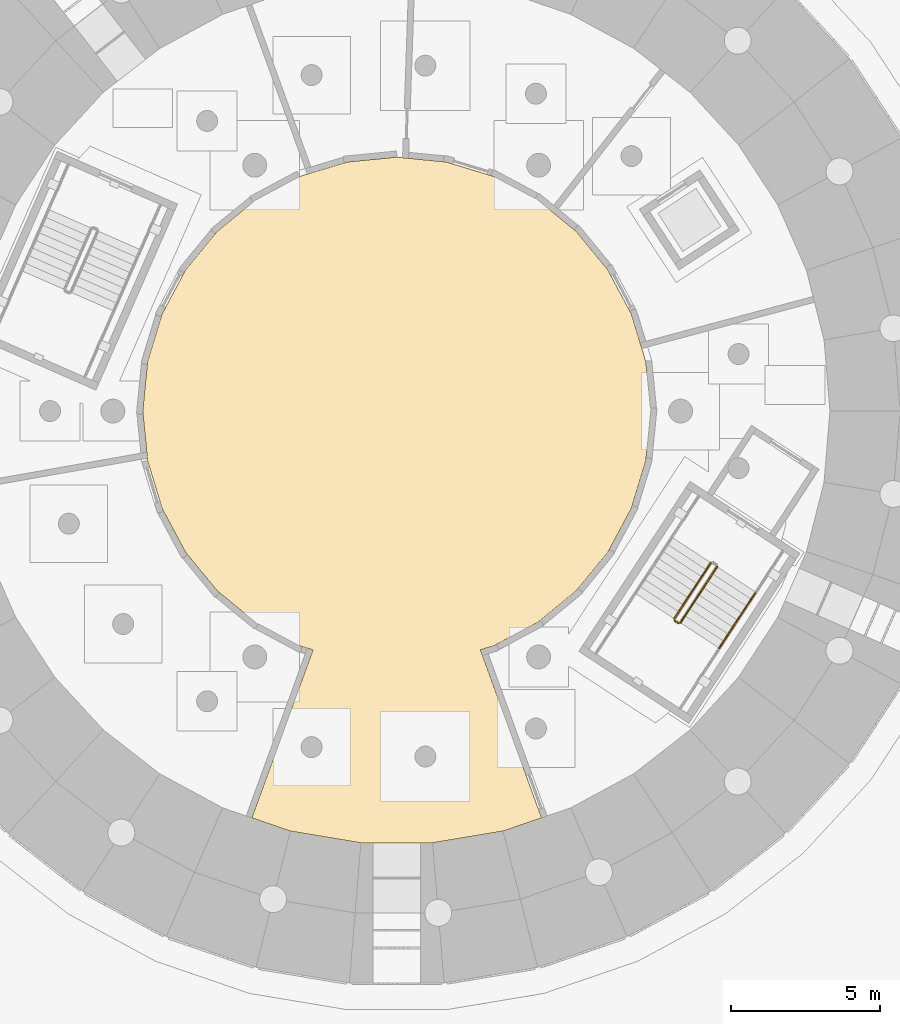
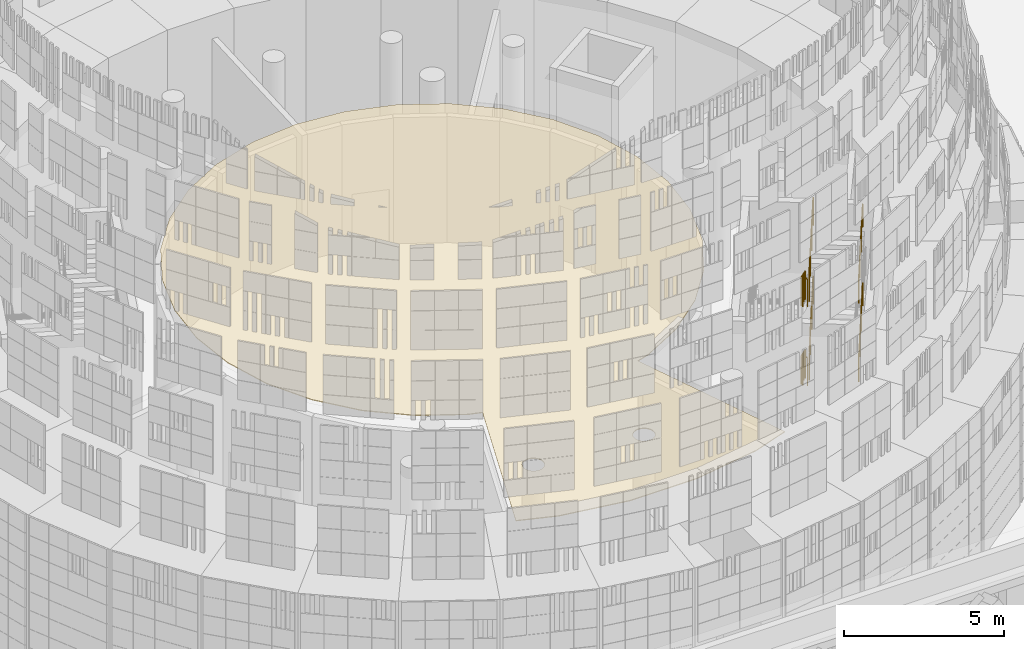
# One storey, part 119 of 125: 8 railings, 1 covering.
"""IFC4 building model written with IfcOpenShell, lengths in metres."""

from ifc_helpers import new_model, si_unit, direction, frame, origin, origin_2d, place, context, subcontext, project, spatial, polyline, circle, outline, extrude, material, layer, layer_set, type_object, element, save


model = new_model("IFC4")

# Units and contexts
model_context = context("Model", 3, precision=1e-05, world=origin(), true_north=direction((0.0, 1.0)))
body_context = subcontext(model_context, "Body", "Model", "MODEL_VIEW")
ifc_project = project(units=[si_unit("LENGTHUNIT", "METRE"), si_unit("AREAUNIT", "SQUARE_METRE"), si_unit("VOLUMEUNIT", "CUBIC_METRE"), si_unit("PLANEANGLEUNIT", "RADIAN"), si_unit("MASSUNIT", "GRAM", prefix="KILO")], contexts=[model_context])

# Site, building, storey
site_placement = place(None, origin())
site = spatial("IfcSite", under=ifc_project, at=site_placement, CompositionType="ELEMENT")
building_placement = place(site_placement, origin())
building = spatial("IfcBuilding", under=site, at=building_placement, Name="Sun Court Science Centre", CompositionType="ELEMENT")
storey_placement = place(building_placement, origin())
storey = spatial("IfcBuildingStorey", under=building, at=storey_placement, Name="L00", CompositionType="ELEMENT", Elevation=0.0)

# Covering
ifc_material_1 = material(Name="Perforated steel", Category="steel")
ifc_layer = layer(ifc_material_1, 0.030029296875)
ifc_layer_set = layer_set([ifc_layer], Name="Perforated steel")
covering_type = type_object("IfcCoveringType", Name="Ceiling acoustic perforated", PredefinedType="CEILING", material=ifc_layer_set)
covering_placement = place(storey_placement, frame((0.0, 0.0, 5.27001953125)))
element("IfcCovering", 1, at=covering_placement, inside=storey, type_object=covering_type, Name="L00-081 ceiling", PredefinedType="CEILING", context=body_context, shape_type="SweptSolid", body=[
    extrude(outline(polyline([(49.802734375, 82.351318359375), (47.44091796875, 82.745361328125), (46.152099609375, 83.187744140625), (48.198486328125, 88.810546875), (47.747314453125, 88.947509765625), (46.27783203125, 89.73291015625), (44.989990234375, 90.789794921875), (43.932861328125, 92.077880859375), (43.1474609375, 93.54736328125), (42.663818359375, 95.141845703125), (42.50048828125, 96.800048828125), (42.663818359375, 98.458251953125), (43.1474609375, 100.052490234375), (43.932861328125, 101.522216796875), (44.989990234375, 102.81005859375), (46.27783203125, 103.8671875), (47.747314453125, 104.652587890625), (49.341796875, 105.13623046875), (51.0, 105.299560546875), (52.658203125, 105.13623046875), (54.252685546875, 104.652587890625), (55.72216796875, 103.8671875), (57.010009765625, 102.81005859375), (58.067138671875, 101.522216796875), (58.8525390625, 100.052490234375), (59.336181640625, 98.458251953125), (59.49951171875, 96.800048828125), (59.336181640625, 95.141845703125), (58.8525390625, 93.54736328125), (58.067138671875, 92.077880859375), (57.010009765625, 90.789794921875), (55.72216796875, 89.73291015625), (54.252685546875, 88.947509765625), (53.801513671875, 88.810546875), (55.847900390625, 83.187744140625), (54.55908203125, 82.745361328125), (52.197265625, 82.351318359375), (49.802734375, 82.351318359375)]), holes=[polyline([(52.30126953125, 85.17138671875), (52.304931640625, 85.19384765625), (52.30712890625, 85.216796875), (52.307861328125, 85.239501953125), (52.30712890625, 85.262451171875), (52.304931640625, 85.285400390625), (52.30126953125, 85.307861328125), (52.2958984375, 85.330078125), (52.289306640625, 85.35205078125), (52.28125, 85.37353515625), (52.271728515625, 85.394287109375), (52.260986328125, 85.41455078125), (52.248779296875, 85.43408203125), (52.235595703125, 85.45263671875), (52.22119140625, 85.470458984375), (52.205322265625, 85.487060546875), (52.188720703125, 85.502685546875), (52.1708984375, 85.517333984375), (52.15234375, 85.530517578125), (52.1328125, 85.542724609375), (52.11279296875, 85.553466796875), (52.091796875, 85.56298828125), (52.0703125, 85.571044921875), (52.048583984375, 85.57763671875), (52.026123046875, 85.5830078125), (52.003662109375, 85.586669921875), (51.980712890625, 85.5888671875), (51.9580078125, 85.589599609375), (51.93505859375, 85.5888671875), (51.912109375, 85.586669921875), (51.8896484375, 85.5830078125), (51.8671875, 85.57763671875), (51.845458984375, 85.571044921875), (51.823974609375, 85.56298828125), (51.802978515625, 85.553466796875), (51.782958984375, 85.542724609375), (51.763427734375, 85.530517578125), (51.744873046875, 85.517333984375), (51.72705078125, 85.502685546875), (51.71044921875, 85.487060546875), (51.69482421875, 85.470458984375), (51.68017578125, 85.45263671875), (51.6669921875, 85.43408203125), (51.65478515625, 85.41455078125), (51.64404296875, 85.394287109375), (51.634521484375, 85.37353515625), (51.62646484375, 85.35205078125), (51.619873046875, 85.330078125), (51.614501953125, 85.307861328125), (51.61083984375, 85.285400390625), (51.608642578125, 85.262451171875), (51.60791015625, 85.239501953125), (51.608642578125, 85.216796875), (51.61083984375, 85.19384765625), (51.614501953125, 85.17138671875), (51.619873046875, 85.14892578125), (51.62646484375, 85.127197265625), (51.634521484375, 85.105712890625), (51.64404296875, 85.084716796875), (51.65478515625, 85.064697265625), (51.6669921875, 85.045166015625), (51.68017578125, 85.026611328125), (51.69482421875, 85.0087890625), (51.71044921875, 84.9921875), (51.72705078125, 84.9765625), (51.744873046875, 84.9619140625), (51.763427734375, 84.948486328125), (51.782958984375, 84.9365234375), (51.802978515625, 84.92578125), (51.823974609375, 84.916259765625), (51.845458984375, 84.908203125), (51.8671875, 84.901611328125), (51.8896484375, 84.896240234375), (51.912109375, 84.892578125), (51.93505859375, 84.890380859375), (51.9580078125, 84.8896484375), (51.980712890625, 84.890380859375), (52.003662109375, 84.892578125), (52.026123046875, 84.896240234375), (52.048583984375, 84.901611328125), (52.0703125, 84.908203125), (52.091796875, 84.916259765625), (52.11279296875, 84.92578125), (52.1328125, 84.9365234375), (52.15234375, 84.948486328125), (52.1708984375, 84.9619140625), (52.188720703125, 84.9765625), (52.205322265625, 84.9921875), (52.22119140625, 85.0087890625), (52.235595703125, 85.026611328125), (52.248779296875, 85.045166015625), (52.260986328125, 85.064697265625), (52.271728515625, 85.084716796875), (52.28125, 85.105712890625), (52.289306640625, 85.127197265625), (52.2958984375, 85.14892578125), (52.30126953125, 85.17138671875)]), polyline([(48.490478515625, 85.46435546875), (48.49560546875, 85.48681640625), (48.49951171875, 85.50927734375), (48.501708984375, 85.531982421875), (48.50244140625, 85.554931640625), (48.501708984375, 85.577880859375), (48.49951171875, 85.6005859375), (48.49560546875, 85.623291015625), (48.490478515625, 85.6455078125), (48.48388671875, 85.66748046875), (48.4755859375, 85.68896484375), (48.46630859375, 85.709716796875), (48.45556640625, 85.72998046875), (48.443359375, 85.74951171875), (48.429931640625, 85.76806640625), (48.41552734375, 85.78564453125), (48.39990234375, 85.802490234375), (48.383056640625, 85.818115234375), (48.365478515625, 85.83251953125), (48.3466796875, 85.845947265625), (48.327392578125, 85.858154296875), (48.30712890625, 85.868896484375), (48.286376953125, 85.87841796875), (48.264892578125, 85.886474609375), (48.242919921875, 85.89306640625), (48.220703125, 85.898193359375), (48.197998046875, 85.902099609375), (48.17529296875, 85.904296875), (48.15234375, 85.905029296875), (48.12939453125, 85.904296875), (48.106689453125, 85.902099609375), (48.083984375, 85.898193359375), (48.061767578125, 85.89306640625), (48.039794921875, 85.886474609375), (48.018310546875, 85.87841796875), (47.99755859375, 85.868896484375), (47.977294921875, 85.858154296875), (47.9580078125, 85.845947265625), (47.939208984375, 85.83251953125), (47.921630859375, 85.818115234375), (47.90478515625, 85.802490234375), (47.88916015625, 85.78564453125), (47.874755859375, 85.76806640625), (47.861328125, 85.74951171875), (47.849365234375, 85.72998046875), (47.83837890625, 85.709716796875), (47.8291015625, 85.68896484375), (47.82080078125, 85.66748046875), (47.814208984375, 85.6455078125), (47.80908203125, 85.623291015625), (47.805419921875, 85.6005859375), (47.802978515625, 85.577880859375), (47.802490234375, 85.554931640625), (47.802978515625, 85.531982421875), (47.805419921875, 85.50927734375), (47.80908203125, 85.48681640625), (47.814208984375, 85.46435546875), (47.82080078125, 85.4423828125), (47.8291015625, 85.4208984375), (47.83837890625, 85.400146484375), (47.849365234375, 85.3798828125), (47.861328125, 85.360595703125), (47.874755859375, 85.341796875), (47.88916015625, 85.32421875), (47.90478515625, 85.3076171875), (47.921630859375, 85.291748046875), (47.939208984375, 85.27734375), (47.9580078125, 85.263916015625), (47.977294921875, 85.251708984375), (47.99755859375, 85.2412109375), (48.018310546875, 85.231689453125), (48.039794921875, 85.223388671875), (48.061767578125, 85.216796875), (48.083984375, 85.211669921875), (48.106689453125, 85.2080078125), (48.12939453125, 85.205810546875), (48.15234375, 85.205078125), (48.17529296875, 85.205810546875), (48.197998046875, 85.2080078125), (48.220703125, 85.211669921875), (48.242919921875, 85.216796875), (48.264892578125, 85.223388671875), (48.286376953125, 85.231689453125), (48.30712890625, 85.2412109375), (48.327392578125, 85.251708984375), (48.3466796875, 85.263916015625), (48.365478515625, 85.27734375), (48.383056640625, 85.291748046875), (48.39990234375, 85.3076171875), (48.41552734375, 85.32421875), (48.429931640625, 85.341796875), (48.443359375, 85.360595703125), (48.45556640625, 85.3798828125), (48.46630859375, 85.400146484375), (48.4755859375, 85.4208984375), (48.48388671875, 85.4423828125), (48.490478515625, 85.46435546875)])]), origin(), (0.0, 0.0, 1.0), 0.030029296875),
])

# Railings
ifc_material_2 = material(Name="Steel S275", Category="steel")
railing_type_1 = type_object("IfcRailingType", Name="Guard 1100 steel balustrade", PredefinedType="GUARDRAIL", material=ifc_material_2)
railing_1_placement = place(storey_placement, frame((61.51171875, 91.7265625, 0.166748046875)))
element("IfcRailing", 2, at=railing_1_placement, inside=storey, type_object=railing_type_1, Name="L00 PS1 stair guard 1", PredefinedType="GUARDRAIL", context=body_context, shape_type="SweptSolid", body=[
    extrude(circle(Radius=0.02392578125, at=origin_2d()), frame((0.0, 0.0, 1.076171875), z_axis=(-0.469977511103, -0.719389649816, 0.511468152278), x_axis=(0.837178842817, -0.546929232295, 0.0)), (0.0, 0.0, 1.0), 2.606689453125),
    extrude(circle(Radius=0.02099609375, at=origin_2d()), origin(), (0.0, 0.0, 1.0), 1.052001953125),
    extrude(circle(Radius=0.02099609375, at=origin_2d()), frame((-0.408447265625, -0.625, 0.4443359375)), (0.0, 0.0, 1.0), 1.052001953125),
    extrude(circle(Radius=0.02099609375, at=origin_2d()), frame((-0.816650390625, -1.250244140625, 0.888916015625)), (0.0, 0.0, 1.0), 1.052001953125),
    extrude(circle(Radius=0.02099609375, at=origin_2d()), frame((-1.22509765625, -1.875244140625, 1.333251953125)), (0.0, 0.0, 1.0), 1.052001953125),
])
railing_2_placement = place(storey_placement, frame((60.301025390625, 89.781982421875, 1.5)))
element("IfcRailing", 3, at=railing_2_placement, inside=storey, type_object=railing_type_1, Name="L00 PS1 stair guard 2", PredefinedType="GUARDRAIL", context=body_context, shape_type="SweptSolid", body=[
    extrude(circle(Radius=0.02392578125, at=origin_2d()), frame((0.0, 0.0, 1.076171875), z_axis=(0.837513526863, -0.546416592283, 0.0), x_axis=(0.546416592283, 0.837513526863, 0.0)), (0.0, 0.0, 1.0), 0.150146484375),
    extrude(circle(Radius=0.02099609375, at=origin_2d()), origin(), (0.0, 0.0, 1.0), 1.052001953125),
    extrude(circle(Radius=0.02099609375, at=origin_2d()), frame((0.125732421875, -0.08203125, 0.0)), (0.0, 0.0, 1.0), 1.052001953125),
])
railing_3_placement = place(storey_placement, frame((60.495849609375, 89.714599609375, 1.666748046875)))
element("IfcRailing", 4, at=railing_3_placement, inside=storey, type_object=railing_type_1, Name="L00 PS1 stair guard 5", PredefinedType="GUARDRAIL", context=body_context, shape_type="SweptSolid", body=[
    extrude(circle(Radius=0.02392578125, at=origin_2d()), frame((0.0, 0.0, 1.076171875), z_axis=(0.469977511103, 0.719389649816, 0.511468152278), x_axis=(-0.837178842817, 0.546929232295, 0.0)), (0.0, 0.0, 1.0), 2.606689453125),
    extrude(circle(Radius=0.02099609375, at=origin_2d()), origin(), (0.0, 0.0, 1.0), 1.052001953125),
    extrude(circle(Radius=0.02099609375, at=origin_2d()), frame((0.408447265625, 0.625, 0.4443359375)), (0.0, 0.0, 1.0), 1.052001953125),
    extrude(circle(Radius=0.02099609375, at=origin_2d()), frame((0.816650390625, 1.250244140625, 0.888916015625)), (0.0, 0.0, 1.0), 1.052001953125),
    extrude(circle(Radius=0.02099609375, at=origin_2d()), frame((1.22509765625, 1.875244140625, 1.333251953125)), (0.0, 0.0, 1.0), 1.052001953125),
])
railing_4_placement = place(storey_placement, frame((61.51171875, 91.7265625, 3.166748046875)))
element("IfcRailing", 5, at=railing_4_placement, inside=storey, type_object=railing_type_1, Name="L00 PS1 stair guard 9", PredefinedType="GUARDRAIL", context=body_context, shape_type="SweptSolid", body=[
    extrude(circle(Radius=0.02392578125, at=origin_2d()), frame((0.0, 0.0, 1.076171875), z_axis=(-0.469977511103, -0.719389649816, 0.511468152278), x_axis=(0.837178842817, -0.546929232295, 0.0)), (0.0, 0.0, 1.0), 2.606689453125),
    extrude(circle(Radius=0.02099609375, at=origin_2d()), origin(), (0.0, 0.0, 1.0), 1.052001953125),
    extrude(circle(Radius=0.02099609375, at=origin_2d()), frame((-0.408447265625, -0.625, 0.4443359375)), (0.0, 0.0, 1.0), 1.052001953125),
    extrude(circle(Radius=0.02099609375, at=origin_2d()), frame((-0.816650390625, -1.250244140625, 0.888916015625)), (0.0, 0.0, 1.0), 1.052001953125),
    extrude(circle(Radius=0.02099609375, at=origin_2d()), frame((-1.22509765625, -1.875244140625, 1.333251953125)), (0.0, 0.0, 1.0), 1.052001953125),
])
railing_5_placement = place(storey_placement, frame((60.301025390625, 89.781982421875, 4.5)))
element("IfcRailing", 6, at=railing_5_placement, inside=storey, type_object=railing_type_1, Name="L00 PS1 stair guard 10", PredefinedType="GUARDRAIL", context=body_context, shape_type="SweptSolid", body=[
    extrude(circle(Radius=0.02392578125, at=origin_2d()), frame((0.0, 0.0, 1.076171875), z_axis=(0.837513526863, -0.546416592283, 0.0), x_axis=(0.546416592283, 0.837513526863, 0.0)), (0.0, 0.0, 1.0), 0.150146484375),
    extrude(circle(Radius=0.02099609375, at=origin_2d()), origin(), (0.0, 0.0, 1.0), 1.052001953125),
    extrude(circle(Radius=0.02099609375, at=origin_2d()), frame((0.125732421875, -0.08203125, 0.0)), (0.0, 0.0, 1.0), 1.052001953125),
])
railing_6_placement = place(storey_placement, frame((60.495849609375, 89.714599609375, 4.666748046875)))
element("IfcRailing", 7, at=railing_6_placement, inside=storey, type_object=railing_type_1, Name="L00 PS1 stair guard 13", PredefinedType="GUARDRAIL", context=body_context, shape_type="SweptSolid", body=[
    extrude(circle(Radius=0.02392578125, at=origin_2d()), frame((0.0, 0.0, 1.076171875), z_axis=(0.469977511103, 0.719389649816, 0.511468152278), x_axis=(-0.837178842817, 0.546929232295, 0.0)), (0.0, 0.0, 1.0), 2.606689453125),
    extrude(circle(Radius=0.02099609375, at=origin_2d()), origin(), (0.0, 0.0, 1.0), 1.052001953125),
    extrude(circle(Radius=0.02099609375, at=origin_2d()), frame((0.408447265625, 0.625, 0.4443359375)), (0.0, 0.0, 1.0), 1.052001953125),
    extrude(circle(Radius=0.02099609375, at=origin_2d()), frame((0.816650390625, 1.250244140625, 0.888916015625)), (0.0, 0.0, 1.0), 1.052001953125),
    extrude(circle(Radius=0.02099609375, at=origin_2d()), frame((1.22509765625, 1.875244140625, 1.333251953125)), (0.0, 0.0, 1.0), 1.052001953125),
])
ifc_material_3 = material(Name="Stainless steel", Category="steel")
railing_type_2 = type_object("IfcRailingType", Name="Handrail 900 stainless", PredefinedType="HANDRAIL", material=ifc_material_3)
for number, where, name in (
    (8, (61.791748046875, 88.867919921875, 1.666748046875), "L00 PS1 stair handrail 2"),
    (9, (61.791748046875, 88.867919921875, 4.666748046875), "L00 PS1 stair handrail 4"),
):
    element("IfcRailing", number, at=place(storey_placement, frame(where)), inside=storey, type_object=railing_type_2, Name=name, PredefinedType="HANDRAIL", context=body_context, shape_type="SweptSolid", body=[
        extrude(circle(Radius=0.02392578125, at=origin_2d()), frame((0.0, 0.0, 0.8759765625), z_axis=(0.469977511103, 0.719389649816, 0.511468152278), x_axis=(-0.837178842817, 0.546929232295, 0.0)), (0.0, 0.0, 1.0), 2.606689453125),
        extrude(circle(Radius=0.02099609375, at=origin_2d()), origin(), (0.0, 0.0, 1.0), 0.851806640625),
        extrude(circle(Radius=0.02099609375, at=origin_2d()), frame((0.408447265625, 0.625, 0.4443359375)), (0.0, 0.0, 1.0), 0.851806640625),
        extrude(circle(Radius=0.02099609375, at=origin_2d()), frame((0.816650390625, 1.250244140625, 0.888916015625)), (0.0, 0.0, 1.0), 0.851806640625),
        extrude(circle(Radius=0.02099609375, at=origin_2d()), frame((1.22509765625, 1.875244140625, 1.333251953125)), (0.0, 0.0, 1.0), 0.851806640625),
    ])

save(model, "model.ifc")
